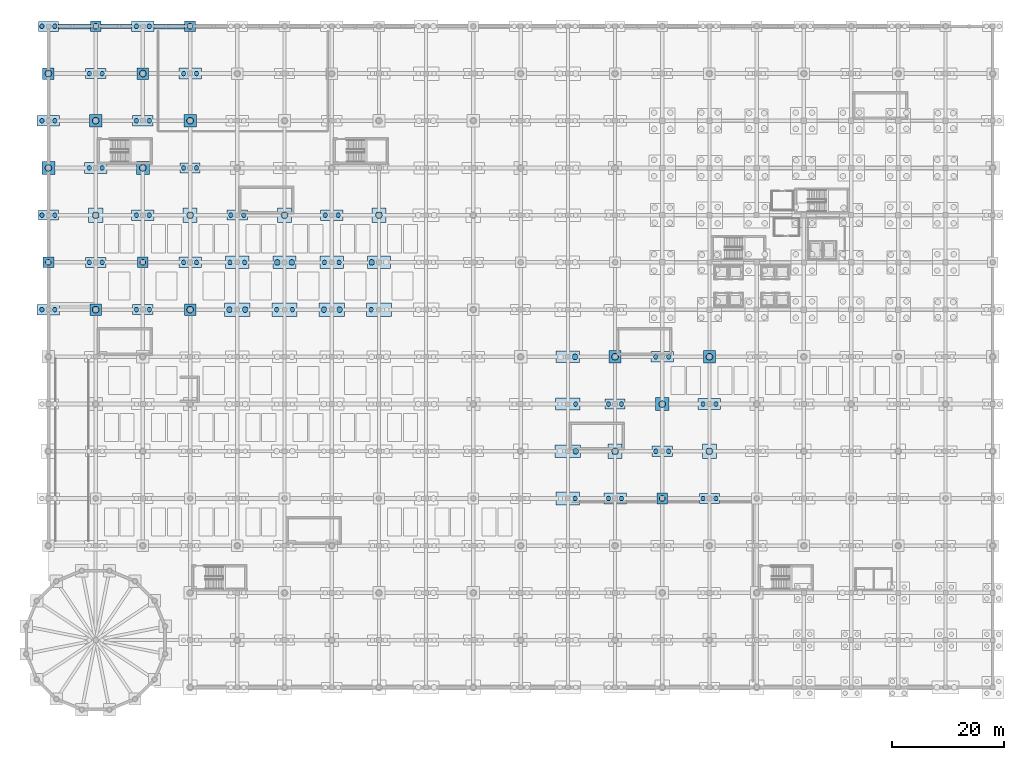
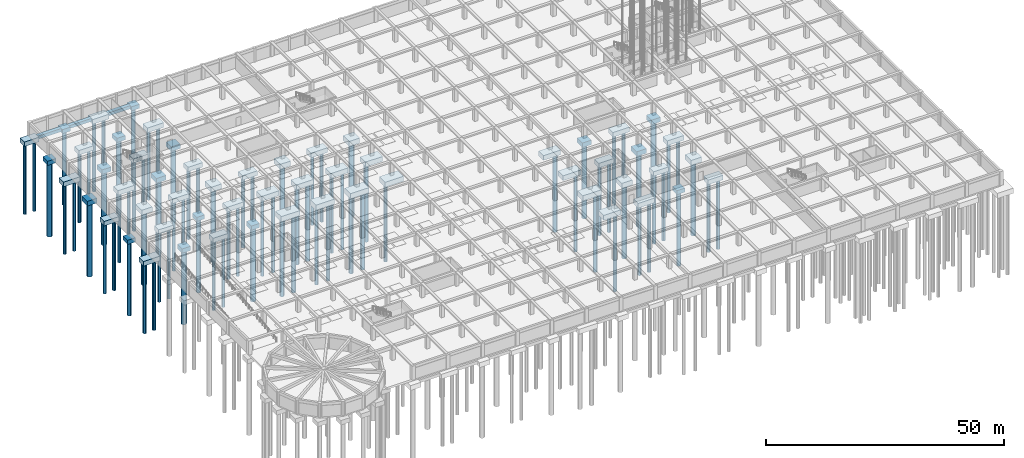
# One storey, part 3 of 47: 84 piles, 59 footings.
"""IFC4 building model written with IfcOpenShell, lengths in metres."""

from ifc_helpers import new_model, si_unit, direction, frame, origin, origin_2d, place, context, subcontext, project, spatial, rectangle, circle, extrude, material, layer, layer_set, material_profile, profile_set, type_object, element, save


model = new_model("IFC4")

# Units and contexts
model_context = context("Model", 3, precision=1e-05, world=origin(), true_north=direction((0.0, 1.0)))
body_context = subcontext(model_context, "Body", "Model", "MODEL_VIEW")
ifc_project = project(units=[si_unit("LENGTHUNIT", "METRE"), si_unit("AREAUNIT", "SQUARE_METRE"), si_unit("VOLUMEUNIT", "CUBIC_METRE"), si_unit("PLANEANGLEUNIT", "RADIAN"), si_unit("MASSUNIT", "GRAM", prefix="KILO")], contexts=[model_context])

# Site, building, storey
site_placement = place(None, origin())
site = spatial("IfcSite", under=ifc_project, at=site_placement, CompositionType="ELEMENT")
building_placement = place(site_placement, origin())
building = spatial("IfcBuilding", under=site, at=building_placement, Name="Almacenes y Pasaje Nevantli", CompositionType="ELEMENT")
storey_placement = place(building_placement, frame((0.0, 0.0, -8.10009765625)))
storey = spatial("IfcBuildingStorey", under=building, at=storey_placement, Name="B02", CompositionType="ELEMENT", Elevation=-8.10009765625)

# Footings
ifc_material_1 = material(Name="Concrete C45/55", Category="concrete")
ifc_layer_1 = layer(ifc_material_1, 1.300048828125)
ifc_layer_set_1 = layer_set([ifc_layer_1], Name="Concrete C45/55")
footing_type_1 = type_object("IfcFootingType", Name="FT-PC-06", PredefinedType="PILE_CAP", material=ifc_layer_set_1)
footing_1_placement = place(storey_placement, frame((92.39990234375, 42.0, -1.7998046875), z_axis=(0.0, 0.0, 1.0), x_axis=(1.0, 0.0, 0.0)))
element("IfcFooting", 1, at=footing_1_placement, inside=storey, type_object=footing_type_1, Name="Reinforced Concrete Pile Cap PC-06 #163", PredefinedType="PILE_CAP", context=body_context, shape_type="SweptSolid", body=[
    extrude(rectangle(XDim=4.60009765625, YDim=2.199951171875, at=origin_2d()), origin(), (0.0, 0.0, 1.0), 1.300048828125),
])
ifc_material_2 = material(Name="Concrete C45/55", Category="concrete")
ifc_layer_2 = layer(ifc_material_2, 1.25)
ifc_layer_set_2 = layer_set([ifc_layer_2], Name="Concrete C45/55")
footing_type_2 = type_object("IfcFootingType", Name="FT-PC-07", PredefinedType="PILE_CAP", material=ifc_layer_set_2)
footing_2_placement = place(storey_placement, frame((92.39990234375, 50.39990234375, -1.75), z_axis=(0.0, 0.0, 1.0), x_axis=(1.0, 0.0, 0.0)))
element("IfcFooting", 2, at=footing_2_placement, inside=storey, type_object=footing_type_2, Name="Reinforced Concrete Pile Cap PC-07 #164", PredefinedType="PILE_CAP", context=body_context, shape_type="SweptSolid", body=[
    extrude(rectangle(XDim=4.39990234375, YDim=2.10009765625, at=origin_2d()), origin(), (0.0, 0.0, 1.0), 1.25),
])
ifc_material_3 = material(Name="Concrete C45/55", Category="concrete")
ifc_layer_3 = layer(ifc_material_3, 1.199951171875)
ifc_layer_set_3 = layer_set([ifc_layer_3], Name="Concrete C45/55")
footing_type_3 = type_object("IfcFootingType", Name="FT-PC-08", PredefinedType="PILE_CAP", material=ifc_layer_set_3)
footing_3_placement = place(storey_placement, frame((92.39990234375, 58.800048828125, -1.69970703125), z_axis=(0.0, 0.0, 1.0), x_axis=(1.0, 0.0, 0.0)))
element("IfcFooting", 3, at=footing_3_placement, inside=storey, type_object=footing_type_3, Name="Reinforced Concrete Pile Cap PC-08 #165", PredefinedType="PILE_CAP", context=body_context, shape_type="SweptSolid", body=[
    extrude(rectangle(XDim=4.199951171875, YDim=2.0, at=origin_2d()), origin(), (0.0, 0.0, 1.0), 1.199951171875),
])
ifc_material_4 = material(Name="Concrete C45/55", Category="concrete")
ifc_layer_4 = layer(ifc_material_4, 1.199951171875)
ifc_layer_set_4 = layer_set([ifc_layer_4], Name="Concrete C45/55")
footing_type_4 = type_object("IfcFootingType", Name="FT-PC-09", PredefinedType="PILE_CAP", material=ifc_layer_set_4)
for number, where, z_axis, x_axis, name in (
    (4, (0.0, 67.199951171875, -1.69970703125), (0.0, 0.0, 1.0), (1.0, 0.0, 0.0), "Reinforced Concrete Pile Cap PC-09 #6"),
    (5, (0.0, 100.800048828125, -1.69970703125), (0.0, 0.0, 1.0), (1.0, 0.0, 0.0), "Reinforced Concrete Pile Cap PC-09 #10"),
    (6, (8.39990234375, 92.39990234375, -1.69970703125), (0.0, 0.0, 1.0), (1.0, 0.0, 0.0), "Reinforced Concrete Pile Cap PC-09 #22"),
    (7, (16.800048828125, 84.0, -1.69970703125), (0.0, 0.0, 1.0), (1.0, 0.0, 0.0), "Reinforced Concrete Pile Cap PC-09 #33"),
    (8, (16.800048828125, 117.60009765625, -1.69970703125), (0.0, 0.0, 1.0), (1.0, 0.0, 0.0), "Reinforced Concrete Pile Cap PC-09 #37"),
    (9, (25.199951171875, 75.60009765625, -1.69970703125), (0.0, 0.0, 1.0), (1.0, 0.0, 0.0), "Reinforced Concrete Pile Cap PC-09 #47"),
    (10, (25.199951171875, 109.199951171875, -1.69970703125), (0.0, 0.0, 1.0), (1.0, 0.0, 0.0), "Reinforced Concrete Pile Cap PC-09 #51"),
    (11, (50.39990234375, 84.0, -1.69970703125), (0.0, 0.0, 1.0), (1.0, 0.0, 0.0), "Reinforced Concrete Pile Cap PC-09 #93"),
    (12, (100.800048828125, 33.60009765625, -1.69970703125), (0.0, 0.0, 1.0), (1.0, 0.0, 0.0), "Reinforced Concrete Pile Cap PC-09 #177"),
    (13, (109.199951171875, 58.800048828125, -1.69970703125), (0.0, 0.0, 1.0), (1.0, 0.0, 0.0), "Reinforced Concrete Pile Cap PC-09 #195"),
    (14, (117.60009765625, 50.39990234375, -1.69970703125), (0.0, 0.0, 1.0), (1.0, 0.0, 0.0), "Reinforced Concrete Pile Cap PC-09 #209"),
):
    element("IfcFooting", number, at=place(storey_placement, frame(where, z_axis=z_axis, x_axis=x_axis)), inside=storey, type_object=footing_type_4, Name=name, PredefinedType="PILE_CAP", context=body_context, shape_type="SweptSolid", body=[
        extrude(rectangle(XDim=4.0, YDim=1.89990234375, at=origin_2d()), origin(), (0.0, 0.0, 1.0), 1.199951171875),
    ])
ifc_material_5 = material(Name="Concrete C45/55", Category="concrete")
ifc_layer_5 = layer(ifc_material_5, 1.14990234375)
ifc_layer_set_5 = layer_set([ifc_layer_5], Name="Concrete C45/55")
footing_type_5 = type_object("IfcFootingType", Name="FT-PC-11", PredefinedType="PILE_CAP", material=ifc_layer_set_5)
for number, where, z_axis, x_axis, name in (
    (15, (0.0, 84.0, -1.64990234375), (0.0, 0.0, 1.0), (1.0, 0.0, 0.0), "Reinforced Concrete Pile Cap PC-11 #8"),
    (16, (0.0, 117.60009765625, -1.64990234375), (0.0, 0.0, 1.0), (1.0, 0.0, 0.0), "Reinforced Concrete Pile Cap PC-11 #12"),
    (17, (8.39990234375, 75.60009765625, -1.64990234375), (0.0, 0.0, 1.0), (1.0, 0.0, 0.0), "Reinforced Concrete Pile Cap PC-11 #20"),
    (18, (8.39990234375, 109.199951171875, -1.64990234375), (0.0, 0.0, 1.0), (1.0, 0.0, 0.0), "Reinforced Concrete Pile Cap PC-11 #24"),
    (19, (16.800048828125, 67.199951171875, -1.64990234375), (0.0, 0.0, 1.0), (1.0, 0.0, 0.0), "Reinforced Concrete Pile Cap PC-11 #31"),
    (20, (16.800048828125, 100.800048828125, -1.64990234375), (0.0, 0.0, 1.0), (1.0, 0.0, 0.0), "Reinforced Concrete Pile Cap PC-11 #35"),
    (21, (25.199951171875, 92.39990234375, -1.64990234375), (0.0, 0.0, 1.0), (1.0, 0.0, 0.0), "Reinforced Concrete Pile Cap PC-11 #49"),
    (22, (33.60009765625, 84.0, -1.64990234375), (0.0, 0.0, 1.0), (1.0, 0.0, 0.0), "Reinforced Concrete Pile Cap PC-11 #63"),
    (23, (100.800048828125, 50.39990234375, -1.64990234375), (0.0, 0.0, 1.0), (1.0, 0.0, 0.0), "Reinforced Concrete Pile Cap PC-11 #179"),
    (24, (109.199951171875, 42.0, -1.64990234375), (0.0, 0.0, 1.0), (1.0, 0.0, 0.0), "Reinforced Concrete Pile Cap PC-11 #193"),
    (25, (117.60009765625, 33.60009765625, -1.64990234375), (0.0, 0.0, 1.0), (1.0, 0.0, 0.0), "Reinforced Concrete Pile Cap PC-11 #207"),
):
    element("IfcFooting", number, at=place(storey_placement, frame(where, z_axis=z_axis, x_axis=x_axis)), inside=storey, type_object=footing_type_5, Name=name, PredefinedType="PILE_CAP", context=body_context, shape_type="SweptSolid", body=[
        extrude(rectangle(XDim=3.60009765625, YDim=1.800048828125, at=origin_2d()), origin(), (0.0, 0.0, 1.0), 1.14990234375),
    ])
ifc_material_6 = material(Name="Concrete C45/55", Category="concrete")
ifc_layer_6 = layer(ifc_material_6, 1.25)
ifc_layer_set_6 = layer_set([ifc_layer_6], Name="Concrete C45/55")
footing_type_6 = type_object("IfcFootingType", Name="FT-PC-15", PredefinedType="PILE_CAP", material=ifc_layer_set_6)
for number, where, z_axis, x_axis, name in (
    (26, (8.39990234375, 84.0, -1.75), (0.0, 0.0, 1.0), (1.0, 0.0, 0.0), "Reinforced Concrete Pile Cap PC-15 #21"),
    (27, (25.199951171875, 84.0, -1.75), (0.0, 0.0, 1.0), (1.0, 0.0, 0.0), "Reinforced Concrete Pile Cap PC-15 #48"),
    (28, (42.0, 84.0, -1.75), (0.0, 0.0, 1.0), (1.0, 0.0, 0.0), "Reinforced Concrete Pile Cap PC-15 #78"),
    (29, (58.800048828125, 84.0, -1.75), (0.0, 0.0, 1.0), (1.0, 0.0, 0.0), "Reinforced Concrete Pile Cap PC-15 #108"),
    (30, (100.800048828125, 42.0, -1.75), (0.0, 0.0, 1.0), (1.0, 0.0, 0.0), "Reinforced Concrete Pile Cap PC-15 #178"),
    (31, (117.60009765625, 42.0, -1.75), (0.0, 0.0, 1.0), (1.0, 0.0, 0.0), "Reinforced Concrete Pile Cap PC-15 #208"),
):
    element("IfcFooting", number, at=place(storey_placement, frame(where, z_axis=z_axis, x_axis=x_axis)), inside=storey, type_object=footing_type_6, Name=name, PredefinedType="PILE_CAP", context=body_context, shape_type="SweptSolid", body=[
        extrude(rectangle(XDim=2.550048828125, YDim=2.550048828125, at=origin_2d()), origin(), (0.0, 0.0, 1.0), 1.25),
    ])
ifc_material_7 = material(Name="Concrete C45/55", Category="concrete")
ifc_layer_7 = layer(ifc_material_7, 1.199951171875)
ifc_layer_set_7 = layer_set([ifc_layer_7], Name="Concrete C45/55")
footing_type_7 = type_object("IfcFootingType", Name="FT-PC-16", PredefinedType="PILE_CAP", material=ifc_layer_set_7)
for number, where, z_axis, x_axis, name in (
    (32, (0.0, 92.39990234375, -1.69970703125), (0.0, 0.0, 1.0), (1.0, 0.0, 0.0), "Reinforced Concrete Pile Cap PC-16 #9"),
    (33, (16.800048828125, 92.39990234375, -1.69970703125), (0.0, 0.0, 1.0), (1.0, 0.0, 0.0), "Reinforced Concrete Pile Cap PC-16 #34"),
    (34, (109.199951171875, 50.39990234375, -1.69970703125), (0.0, 0.0, 1.0), (1.0, 0.0, 0.0), "Reinforced Concrete Pile Cap PC-16 #194"),
):
    element("IfcFooting", number, at=place(storey_placement, frame(where, z_axis=z_axis, x_axis=x_axis)), inside=storey, type_object=footing_type_7, Name=name, PredefinedType="PILE_CAP", context=body_context, shape_type="SweptSolid", body=[
        extrude(rectangle(XDim=2.35009765625, YDim=2.35009765625, at=origin_2d()), origin(), (0.0, 0.0, 1.0), 1.199951171875),
    ])
ifc_material_8 = material(Name="Concrete C45/55", Category="concrete")
ifc_layer_8 = layer(ifc_material_8, 1.14990234375)
ifc_layer_set_8 = layer_set([ifc_layer_8], Name="Concrete C45/55")
footing_type_8 = type_object("IfcFootingType", Name="FT-PC-17", PredefinedType="PILE_CAP", material=ifc_layer_set_8)
for number, where, z_axis, x_axis, name in (
    (35, (8.39990234375, 100.800048828125, -1.64990234375), (0.0, 0.0, 1.0), (1.0, 0.0, 0.0), "Reinforced Concrete Pile Cap PC-17 #23"),
    (36, (25.199951171875, 100.800048828125, -1.64990234375), (0.0, 0.0, 1.0), (1.0, 0.0, 0.0), "Reinforced Concrete Pile Cap PC-17 #50"),
    (37, (100.800048828125, 58.800048828125, -1.64990234375), (0.0, 0.0, 1.0), (1.0, 0.0, 0.0), "Reinforced Concrete Pile Cap PC-17 #180"),
    (38, (117.60009765625, 58.800048828125, -1.64990234375), (0.0, 0.0, 1.0), (1.0, 0.0, 0.0), "Reinforced Concrete Pile Cap PC-17 #210"),
):
    element("IfcFooting", number, at=place(storey_placement, frame(where, z_axis=z_axis, x_axis=x_axis)), inside=storey, type_object=footing_type_8, Name=name, PredefinedType="PILE_CAP", context=body_context, shape_type="SweptSolid", body=[
        extrude(rectangle(XDim=2.199951171875, YDim=2.199951171875, at=origin_2d()), origin(), (0.0, 0.0, 1.0), 1.14990234375),
    ])
ifc_material_9 = material(Name="Concrete C45/55", Category="concrete")
ifc_layer_9 = layer(ifc_material_9, 1.10009765625)
ifc_layer_set_9 = layer_set([ifc_layer_9], Name="Concrete C45/55")
footing_type_9 = type_object("IfcFootingType", Name="FT-PC-18", PredefinedType="PILE_CAP", material=ifc_layer_set_9)
for number, where, z_axis, x_axis, name in (
    (39, (0.0, 109.199951171875, -1.599853515625), (0.0, 0.0, 1.0), (1.0, 0.0, 0.0), "Reinforced Concrete Pile Cap PC-18 #11"),
    (40, (8.39990234375, 67.199951171875, -1.599853515625), (0.0, 0.0, 1.0), (1.0, 0.0, 0.0), "Reinforced Concrete Pile Cap PC-18 #19"),
    (41, (16.800048828125, 109.199951171875, -1.599853515625), (0.0, 0.0, 1.0), (1.0, 0.0, 0.0), "Reinforced Concrete Pile Cap PC-18 #36"),
    (42, (25.199951171875, 67.199951171875, -1.599853515625), (0.0, 0.0, 1.0), (1.0, 0.0, 0.0), "Reinforced Concrete Pile Cap PC-18 #46"),
):
    element("IfcFooting", number, at=place(storey_placement, frame(where, z_axis=z_axis, x_axis=x_axis)), inside=storey, type_object=footing_type_9, Name=name, PredefinedType="PILE_CAP", context=body_context, shape_type="SweptSolid", body=[
        extrude(rectangle(XDim=2.050048828125, YDim=2.050048828125, at=origin_2d()), origin(), (0.0, 0.0, 1.0), 1.10009765625),
    ])
ifc_material_10 = material(Name="Concrete C45/55", Category="concrete")
ifc_layer_10 = layer(ifc_material_10, 1.050048828125)
ifc_layer_set_10 = layer_set([ifc_layer_10], Name="Concrete C45/55")
footing_type_10 = type_object("IfcFootingType", Name="FT-PC-19", PredefinedType="PILE_CAP", material=ifc_layer_set_10)
for number, where, z_axis, x_axis, name in (
    (43, (0.0, 75.60009765625, -1.5498046875), (0.0, 0.0, 1.0), (1.0, 0.0, 0.0), "Reinforced Concrete Pile Cap PC-19 #7"),
    (44, (8.39990234375, 117.60009765625, -1.5498046875), (0.0, 0.0, 1.0), (1.0, 0.0, 0.0), "Reinforced Concrete Pile Cap PC-19 #25"),
    (45, (16.800048828125, 75.60009765625, -1.5498046875), (0.0, 0.0, 1.0), (1.0, 0.0, 0.0), "Reinforced Concrete Pile Cap PC-19 #32"),
    (46, (25.199951171875, 117.60009765625, -1.5498046875), (0.0, 0.0, 1.0), (1.0, 0.0, 0.0), "Reinforced Concrete Pile Cap PC-19 #52"),
    (47, (109.199951171875, 33.60009765625, -1.5498046875), (0.0, 0.0, 1.0), (1.0, 0.0, 0.0), "Reinforced Concrete Pile Cap PC-19 #192"),
):
    element("IfcFooting", number, at=place(storey_placement, frame(where, z_axis=z_axis, x_axis=x_axis)), inside=storey, type_object=footing_type_10, Name=name, PredefinedType="PILE_CAP", context=body_context, shape_type="SweptSolid", body=[
        extrude(rectangle(XDim=1.89990234375, YDim=1.89990234375, at=origin_2d()), origin(), (0.0, 0.0, 1.0), 1.050048828125),
    ])
ifc_material_11 = material(Name="Concrete C45/55", Category="concrete")
ifc_layer_11 = layer(ifc_material_11, 1.300048828125)
ifc_layer_set_11 = layer_set([ifc_layer_11], Name="Concrete C45/55")
footing_type_11 = type_object("IfcFootingType", Name="FT-PC-20", PredefinedType="PILE_CAP", material=ifc_layer_set_11)
for number, where, z_axis, x_axis, name in (
    (48, (33.60009765625, 67.199951171875, -1.7998046875), (0.0, 0.0, 1.0), (1.0, 0.0, 0.0), "Reinforced Concrete Pile Cap PC-20 #61"),
    (49, (42.0, 67.199951171875, -1.7998046875), (0.0, 0.0, 1.0), (1.0, 0.0, 0.0), "Reinforced Concrete Pile Cap PC-20 #76"),
    (50, (50.39990234375, 67.199951171875, -1.7998046875), (0.0, 0.0, 1.0), (1.0, 0.0, 0.0), "Reinforced Concrete Pile Cap PC-20 #91"),
    (51, (58.800048828125, 67.199951171875, -1.7998046875), (0.0, 0.0, 1.0), (1.0, 0.0, 0.0), "Reinforced Concrete Pile Cap PC-20 #106"),
):
    element("IfcFooting", number, at=place(storey_placement, frame(where, z_axis=z_axis, x_axis=x_axis)), inside=storey, type_object=footing_type_11, Name=name, PredefinedType="PILE_CAP", context=body_context, shape_type="SweptSolid", body=[
        extrude(rectangle(XDim=4.5, YDim=2.39990234375, at=origin_2d()), origin(), (0.0, 0.0, 1.0), 1.300048828125),
    ])
ifc_material_12 = material(Name="Concrete C45/55", Category="concrete")
ifc_layer_12 = layer(ifc_material_12, 1.25)
ifc_layer_set_12 = layer_set([ifc_layer_12], Name="Concrete C45/55")
footing_type_12 = type_object("IfcFootingType", Name="FT-PC-21", PredefinedType="PILE_CAP", material=ifc_layer_set_12)
for number, where, z_axis, x_axis, name in (
    (52, (33.60009765625, 75.60009765625, -1.75), (0.0, 0.0, 1.0), (1.0, 0.0, 0.0), "Reinforced Concrete Pile Cap PC-21 #62"),
    (53, (42.0, 75.60009765625, -1.75), (0.0, 0.0, 1.0), (1.0, 0.0, 0.0), "Reinforced Concrete Pile Cap PC-21 #77"),
    (54, (50.39990234375, 75.60009765625, -1.75), (0.0, 0.0, 1.0), (1.0, 0.0, 0.0), "Reinforced Concrete Pile Cap PC-21 #92"),
    (55, (58.800048828125, 75.60009765625, -1.75), (0.0, 0.0, 1.0), (1.0, 0.0, 0.0), "Reinforced Concrete Pile Cap PC-21 #107"),
    (56, (92.39990234375, 33.60009765625, -1.75), (0.0, 0.0, 1.0), (1.0, 0.0, 0.0), "Reinforced Concrete Pile Cap PC-21 #162"),
):
    element("IfcFooting", number, at=place(storey_placement, frame(where, z_axis=z_axis, x_axis=x_axis)), inside=storey, type_object=footing_type_12, Name=name, PredefinedType="PILE_CAP", context=body_context, shape_type="SweptSolid", body=[
        extrude(rectangle(XDim=4.14990234375, YDim=2.25, at=origin_2d()), origin(), (0.0, 0.0, 1.0), 1.25),
    ])
ifc_material_13 = material(Name="Concrete C45/55", Category="concrete")
ifc_layer_13 = layer(ifc_material_13, 0.800048828125)
ifc_layer_set_13 = layer_set([ifc_layer_13], Name="Concrete C45/55")
footing_type_13 = type_object("IfcFootingType", Name="FT-SF-01", PredefinedType="STRIP_FOOTING", material=ifc_layer_set_13)
footing_4_placement = place(storey_placement, frame((4.625, 117.60009765625, -1.2998046875), z_axis=(0.0, 0.0, 1.0), x_axis=(1.0, 0.0, 0.0)))
element("IfcFooting", 57, at=footing_4_placement, inside=storey, type_object=footing_type_13, Name="Continuous Perimeter Strip Footing #1", PredefinedType="STRIP_FOOTING", context=body_context, shape_type="SweptSolid", body=[
    extrude(rectangle(XDim=5.64990234375, YDim=0.89990234375, at=origin_2d()), origin(), (0.0, 0.0, 1.0), 0.800048828125),
])
footing_5_placement = place(storey_placement, frame((21.52490234375, 117.60009765625, -1.2998046875), z_axis=(0.0, 0.0, 1.0), x_axis=(1.0, 0.0, 0.0)))
element("IfcFooting", 58, at=footing_5_placement, inside=storey, type_object=footing_type_13, Name="Continuous Perimeter Strip Footing #3", PredefinedType="STRIP_FOOTING", context=body_context, shape_type="SweptSolid", body=[
    extrude(rectangle(XDim=5.449951171875, YDim=0.89990234375, at=origin_2d()), origin(), (0.0, 0.0, 1.0), 0.800048828125),
])
ifc_material_14 = material(Name="Concrete C45/55", Category="concrete")
ifc_layer_14 = layer(ifc_material_14, 0.75)
ifc_layer_set_14 = layer_set([ifc_layer_14], Name="Concrete C45/55")
footing_type_14 = type_object("IfcFootingType", Name="FT-SF-02", PredefinedType="STRIP_FOOTING", material=ifc_layer_set_14)
footing_6_placement = place(storey_placement, frame((12.074951171875, 117.60009765625, -1.25), z_axis=(0.0, 0.0, 1.0), x_axis=(1.0, 0.0, 0.0)))
element("IfcFooting", 59, at=footing_6_placement, inside=storey, type_object=footing_type_14, Name="Continuous Perimeter Strip Footing #2", PredefinedType="STRIP_FOOTING", context=body_context, shape_type="SweptSolid", body=[
    extrude(rectangle(XDim=5.449951171875, YDim=0.85009765625, at=origin_2d()), origin(), (0.0, 0.0, 1.0), 0.75),
])

# Piles
ifc_material_15 = material(Name="Concrete C45/55", Category="concrete")
ifc_material_profile_1 = material_profile(ifc_material_15, circle(Radius=0.5, at=origin_2d()), Name="RC-PILE-D1000")
ifc_profile_set_1 = profile_set([ifc_material_profile_1], Name="Concrete C45/55")
pile_type_1 = type_object("IfcPileType", Name="PL-BORED-1000", PredefinedType="BORED", material=ifc_profile_set_1)
for number, where, z_axis, x_axis, name in (
    (60, (0.0, 75.60009765625, -1.5), (0.0, 0.0, -1.0), (1.0, 0.0, 0.0), "Bored Pile PL-1000 #10"),
    (61, (8.39990234375, 117.60009765625, -1.5), (0.0, 0.0, -1.0), (1.0, 0.0, 0.0), "Bored Pile PL-1000 #38"),
    (62, (16.800048828125, 75.60009765625, -1.5), (0.0, 0.0, -1.0), (1.0, 0.0, 0.0), "Bored Pile PL-1000 #48"),
    (63, (25.199951171875, 117.60009765625, -1.5), (0.0, 0.0, -1.0), (1.0, 0.0, 0.0), "Bored Pile PL-1000 #78"),
):
    element("IfcPile", number, at=place(storey_placement, frame(where, z_axis=z_axis, x_axis=x_axis)), inside=storey, type_object=pile_type_1, Name=name, PredefinedType="BORED", context=body_context, shape_type="SweptSolid", body=[
        extrude(circle(Radius=0.5, at=origin_2d()), origin(), (0.0, 0.0, 1.0), 19.0),
    ])
for number, where, z_axis, x_axis, name in (
    (64, (32.199951171875, 67.199951171875, -1.75), (0.0, 0.0, -1.0), (1.0, 0.0, 0.0), "Bored Pile PL-1000 #93"),
    (65, (35.0, 67.199951171875, -1.75), (0.0, 0.0, -1.0), (1.0, 0.0, 0.0), "Bored Pile PL-1000 #94"),
    (66, (40.699951171875, 75.60009765625, -1.699951171875), (0.0, 0.0, -1.0), (1.0, 0.0, 0.0), "Bored Pile PL-1000 #120"),
    (67, (43.300048828125, 75.60009765625, -1.699951171875), (0.0, 0.0, -1.0), (1.0, 0.0, 0.0), "Bored Pile PL-1000 #121"),
    (68, (49.0, 67.199951171875, -1.75), (0.0, 0.0, -1.0), (1.0, 0.0, 0.0), "Bored Pile PL-1000 #143"),
    (69, (51.800048828125, 67.199951171875, -1.75), (0.0, 0.0, -1.0), (1.0, 0.0, 0.0), "Bored Pile PL-1000 #144"),
    (70, (57.5, 75.60009765625, -1.699951171875), (0.0, 0.0, -1.0), (1.0, 0.0, 0.0), "Bored Pile PL-1000 #170"),
    (71, (93.800048828125, 42.0, -1.75), (0.0, 0.0, -1.0), (1.0, 0.0, 0.0), "Bored Pile PL-1000 #265"),
    (72, (93.699951171875, 58.800048828125, -1.64990234375), (0.0, 0.0, -1.0), (1.0, 0.0, 0.0), "Bored Pile PL-1000 #269"),
):
    element("IfcPile", number, at=place(storey_placement, frame(where, z_axis=z_axis, x_axis=x_axis)), inside=storey, type_object=pile_type_1, Name=name, PredefinedType="BORED", context=body_context, shape_type="SweptSolid", body=[
        extrude(circle(Radius=0.5, at=origin_2d()), origin(), (0.0, 0.0, 1.0), 20.0),
    ])
pile_placement = place(storey_placement, frame((109.199951171875, 33.60009765625, -1.5), z_axis=(0.0, 0.0, -1.0), x_axis=(1.0, 0.0, 0.0)))
element("IfcPile", 73, at=pile_placement, inside=storey, type_object=pile_type_1, Name="Bored Pile PL-1000 #313", PredefinedType="BORED", context=body_context, shape_type="SweptSolid", body=[
    extrude(circle(Radius=0.5, at=origin_2d()), origin(), (0.0, 0.0, 1.0), 19.0),
])
ifc_material_16 = material(Name="Concrete C45/55", Category="concrete")
ifc_material_profile_2 = material_profile(ifc_material_16, circle(Radius=0.60009765625, at=origin_2d()), Name="RC-PILE-D1200")
ifc_profile_set_2 = profile_set([ifc_material_profile_2], Name="Concrete C45/55")
pile_type_2 = type_object("IfcPileType", Name="PL-BORED-1200", PredefinedType="BORED", material=ifc_profile_set_2)
for number, where, z_axis, x_axis, name in (
    (74, (0.0, 92.39990234375, -1.64990234375), (0.0, 0.0, -1.0), (1.0, 0.0, 0.0), "Bored Pile PL-1200 #13"),
    (75, (0.0, 109.199951171875, -1.5498046875), (0.0, 0.0, -1.0), (1.0, 0.0, 0.0), "Bored Pile PL-1200 #16"),
    (76, (8.39990234375, 67.199951171875, -1.5498046875), (0.0, 0.0, -1.0), (1.0, 0.0, 0.0), "Bored Pile PL-1200 #29"),
    (77, (8.39990234375, 84.0, -1.699951171875), (0.0, 0.0, -1.0), (1.0, 0.0, 0.0), "Bored Pile PL-1200 #32"),
    (78, (8.39990234375, 100.800048828125, -1.599853515625), (0.0, 0.0, -1.0), (1.0, 0.0, 0.0), "Bored Pile PL-1200 #35"),
    (79, (16.800048828125, 92.39990234375, -1.64990234375), (0.0, 0.0, -1.0), (1.0, 0.0, 0.0), "Bored Pile PL-1200 #51"),
    (80, (16.800048828125, 109.199951171875, -1.5498046875), (0.0, 0.0, -1.0), (1.0, 0.0, 0.0), "Bored Pile PL-1200 #54"),
    (81, (25.199951171875, 67.199951171875, -1.5498046875), (0.0, 0.0, -1.0), (1.0, 0.0, 0.0), "Bored Pile PL-1200 #69"),
    (82, (25.199951171875, 84.0, -1.699951171875), (0.0, 0.0, -1.0), (1.0, 0.0, 0.0), "Bored Pile PL-1200 #72"),
    (83, (25.199951171875, 100.800048828125, -1.599853515625), (0.0, 0.0, -1.0), (1.0, 0.0, 0.0), "Bored Pile PL-1200 #75"),
    (84, (42.0, 84.0, -1.699951171875), (0.0, 0.0, -1.0), (1.0, 0.0, 0.0), "Bored Pile PL-1200 #122"),
    (85, (58.800048828125, 84.0, -1.699951171875), (0.0, 0.0, -1.0), (1.0, 0.0, 0.0), "Bored Pile PL-1200 #172"),
    (86, (100.800048828125, 42.0, -1.699951171875), (0.0, 0.0, -1.0), (1.0, 0.0, 0.0), "Bored Pile PL-1200 #292"),
    (87, (100.800048828125, 58.800048828125, -1.599853515625), (0.0, 0.0, -1.0), (1.0, 0.0, 0.0), "Bored Pile PL-1200 #295"),
    (88, (109.199951171875, 50.39990234375, -1.64990234375), (0.0, 0.0, -1.0), (1.0, 0.0, 0.0), "Bored Pile PL-1200 #316"),
    (89, (117.60009765625, 42.0, -1.699951171875), (0.0, 0.0, -1.0), (1.0, 0.0, 0.0), "Bored Pile PL-1200 #350"),
    (90, (117.60009765625, 58.800048828125, -1.599853515625), (0.0, 0.0, -1.0), (1.0, 0.0, 0.0), "Bored Pile PL-1200 #353"),
):
    element("IfcPile", number, at=place(storey_placement, frame(where, z_axis=z_axis, x_axis=x_axis)), inside=storey, type_object=pile_type_2, Name=name, PredefinedType="BORED", context=body_context, shape_type="SweptSolid", body=[
        extrude(circle(Radius=0.60009765625, at=origin_2d()), origin(), (0.0, 0.0, 1.0), 19.0),
    ])
ifc_material_17 = material(Name="Concrete C45/55", Category="concrete")
ifc_material_profile_3 = material_profile(ifc_material_17, circle(Radius=0.39990234375, at=origin_2d()), Name="RC-PILE-D800")
ifc_profile_set_3 = profile_set([ifc_material_profile_3], Name="Concrete C45/55")
pile_type_3 = type_object("IfcPileType", Name="PL-BORED-800", PredefinedType="BORED", material=ifc_profile_set_3)
for number, where, z_axis, x_axis, name in (
    (91, (-1.14990234375, 67.199951171875, -1.64990234375), (0.0, 0.0, -1.0), (1.0, 0.0, 0.0), "Bored Pile PL-800 #8"),
    (92, (1.14990234375, 67.199951171875, -1.64990234375), (0.0, 0.0, -1.0), (1.0, 0.0, 0.0), "Bored Pile PL-800 #9"),
    (93, (-1.14990234375, 84.0, -1.599853515625), (0.0, 0.0, -1.0), (1.0, 0.0, 0.0), "Bored Pile PL-800 #11"),
    (94, (1.14990234375, 84.0, -1.599853515625), (0.0, 0.0, -1.0), (1.0, 0.0, 0.0), "Bored Pile PL-800 #12"),
    (95, (-1.14990234375, 100.800048828125, -1.64990234375), (0.0, 0.0, -1.0), (1.0, 0.0, 0.0), "Bored Pile PL-800 #14"),
    (96, (1.14990234375, 100.800048828125, -1.64990234375), (0.0, 0.0, -1.0), (1.0, 0.0, 0.0), "Bored Pile PL-800 #15"),
    (97, (-1.14990234375, 117.60009765625, -1.599853515625), (0.0, 0.0, -1.0), (1.0, 0.0, 0.0), "Bored Pile PL-800 #17"),
    (98, (1.14990234375, 117.60009765625, -1.599853515625), (0.0, 0.0, -1.0), (1.0, 0.0, 0.0), "Bored Pile PL-800 #18"),
    (99, (7.25, 75.60009765625, -1.599853515625), (0.0, 0.0, -1.0), (1.0, 0.0, 0.0), "Bored Pile PL-800 #30"),
    (100, (9.550048828125, 75.60009765625, -1.599853515625), (0.0, 0.0, -1.0), (1.0, 0.0, 0.0), "Bored Pile PL-800 #31"),
    (101, (7.25, 92.39990234375, -1.64990234375), (0.0, 0.0, -1.0), (1.0, 0.0, 0.0), "Bored Pile PL-800 #33"),
    (102, (9.550048828125, 92.39990234375, -1.64990234375), (0.0, 0.0, -1.0), (1.0, 0.0, 0.0), "Bored Pile PL-800 #34"),
    (103, (7.25, 109.199951171875, -1.599853515625), (0.0, 0.0, -1.0), (1.0, 0.0, 0.0), "Bored Pile PL-800 #36"),
    (104, (9.550048828125, 109.199951171875, -1.599853515625), (0.0, 0.0, -1.0), (1.0, 0.0, 0.0), "Bored Pile PL-800 #37"),
    (105, (15.64990234375, 67.199951171875, -1.599853515625), (0.0, 0.0, -1.0), (1.0, 0.0, 0.0), "Bored Pile PL-800 #46"),
    (106, (17.949951171875, 67.199951171875, -1.599853515625), (0.0, 0.0, -1.0), (1.0, 0.0, 0.0), "Bored Pile PL-800 #47"),
    (107, (15.64990234375, 84.0, -1.64990234375), (0.0, 0.0, -1.0), (1.0, 0.0, 0.0), "Bored Pile PL-800 #49"),
    (108, (17.949951171875, 84.0, -1.64990234375), (0.0, 0.0, -1.0), (1.0, 0.0, 0.0), "Bored Pile PL-800 #50"),
    (109, (15.64990234375, 100.800048828125, -1.599853515625), (0.0, 0.0, -1.0), (1.0, 0.0, 0.0), "Bored Pile PL-800 #52"),
    (110, (17.949951171875, 100.800048828125, -1.599853515625), (0.0, 0.0, -1.0), (1.0, 0.0, 0.0), "Bored Pile PL-800 #53"),
    (111, (15.64990234375, 117.60009765625, -1.64990234375), (0.0, 0.0, -1.0), (1.0, 0.0, 0.0), "Bored Pile PL-800 #55"),
    (112, (17.949951171875, 117.60009765625, -1.64990234375), (0.0, 0.0, -1.0), (1.0, 0.0, 0.0), "Bored Pile PL-800 #56"),
    (113, (24.050048828125, 75.60009765625, -1.64990234375), (0.0, 0.0, -1.0), (1.0, 0.0, 0.0), "Bored Pile PL-800 #70"),
    (114, (26.35009765625, 75.60009765625, -1.64990234375), (0.0, 0.0, -1.0), (1.0, 0.0, 0.0), "Bored Pile PL-800 #71"),
    (115, (24.050048828125, 92.39990234375, -1.599853515625), (0.0, 0.0, -1.0), (1.0, 0.0, 0.0), "Bored Pile PL-800 #73"),
    (116, (26.35009765625, 92.39990234375, -1.599853515625), (0.0, 0.0, -1.0), (1.0, 0.0, 0.0), "Bored Pile PL-800 #74"),
    (117, (24.050048828125, 109.199951171875, -1.64990234375), (0.0, 0.0, -1.0), (1.0, 0.0, 0.0), "Bored Pile PL-800 #76"),
    (118, (26.35009765625, 109.199951171875, -1.64990234375), (0.0, 0.0, -1.0), (1.0, 0.0, 0.0), "Bored Pile PL-800 #77"),
):
    element("IfcPile", number, at=place(storey_placement, frame(where, z_axis=z_axis, x_axis=x_axis)), inside=storey, type_object=pile_type_3, Name=name, PredefinedType="BORED", context=body_context, shape_type="SweptSolid", body=[
        extrude(circle(Radius=0.39990234375, at=origin_2d()), origin(), (0.0, 0.0, 1.0), 18.0),
    ])
for number, where, z_axis, x_axis, name in (
    (119, (32.300048828125, 75.60009765625, -1.699951171875), (0.0, 0.0, -1.0), (1.0, 0.0, 0.0), "Bored Pile PL-800 #95"),
    (120, (34.89990234375, 75.60009765625, -1.699951171875), (0.0, 0.0, -1.0), (1.0, 0.0, 0.0), "Bored Pile PL-800 #96"),
):
    element("IfcPile", number, at=place(storey_placement, frame(where, z_axis=z_axis, x_axis=x_axis)), inside=storey, type_object=pile_type_3, Name=name, PredefinedType="BORED", context=body_context, shape_type="SweptSolid", body=[
        extrude(circle(Radius=0.39990234375, at=origin_2d()), origin(), (0.0, 0.0, 1.0), 20.0),
    ])
for number, where, z_axis, x_axis, name in (
    (121, (32.449951171875, 84.0, -1.599853515625), (0.0, 0.0, -1.0), (1.0, 0.0, 0.0), "Bored Pile PL-800 #97"),
    (122, (34.75, 84.0, -1.599853515625), (0.0, 0.0, -1.0), (1.0, 0.0, 0.0), "Bored Pile PL-800 #98"),
):
    element("IfcPile", number, at=place(storey_placement, frame(where, z_axis=z_axis, x_axis=x_axis)), inside=storey, type_object=pile_type_3, Name=name, PredefinedType="BORED", context=body_context, shape_type="SweptSolid", body=[
        extrude(circle(Radius=0.39990234375, at=origin_2d()), origin(), (0.0, 0.0, 1.0), 18.0),
    ])
for number, where, z_axis, x_axis, name in (
    (123, (40.60009765625, 67.199951171875, -1.75), (0.0, 0.0, -1.0), (1.0, 0.0, 0.0), "Bored Pile PL-800 #118"),
    (124, (43.39990234375, 67.199951171875, -1.75), (0.0, 0.0, -1.0), (1.0, 0.0, 0.0), "Bored Pile PL-800 #119"),
    (125, (49.10009765625, 75.60009765625, -1.699951171875), (0.0, 0.0, -1.0), (1.0, 0.0, 0.0), "Bored Pile PL-800 #145"),
    (126, (51.699951171875, 75.60009765625, -1.699951171875), (0.0, 0.0, -1.0), (1.0, 0.0, 0.0), "Bored Pile PL-800 #146"),
):
    element("IfcPile", number, at=place(storey_placement, frame(where, z_axis=z_axis, x_axis=x_axis)), inside=storey, type_object=pile_type_3, Name=name, PredefinedType="BORED", context=body_context, shape_type="SweptSolid", body=[
        extrude(circle(Radius=0.39990234375, at=origin_2d()), origin(), (0.0, 0.0, 1.0), 20.0),
    ])
for number, where, z_axis, x_axis, name in (
    (127, (49.25, 84.0, -1.64990234375), (0.0, 0.0, -1.0), (1.0, 0.0, 0.0), "Bored Pile PL-800 #147"),
    (128, (51.550048828125, 84.0, -1.64990234375), (0.0, 0.0, -1.0), (1.0, 0.0, 0.0), "Bored Pile PL-800 #148"),
):
    element("IfcPile", number, at=place(storey_placement, frame(where, z_axis=z_axis, x_axis=x_axis)), inside=storey, type_object=pile_type_3, Name=name, PredefinedType="BORED", context=body_context, shape_type="SweptSolid", body=[
        extrude(circle(Radius=0.39990234375, at=origin_2d()), origin(), (0.0, 0.0, 1.0), 18.0),
    ])
for number, where, z_axis, x_axis, name in (
    (129, (57.39990234375, 67.199951171875, -1.75), (0.0, 0.0, -1.0), (1.0, 0.0, 0.0), "Bored Pile PL-800 #168"),
    (130, (93.699951171875, 33.60009765625, -1.699951171875), (0.0, 0.0, -1.0), (1.0, 0.0, 0.0), "Bored Pile PL-800 #263"),
    (131, (93.800048828125, 50.39990234375, -1.699951171875), (0.0, 0.0, -1.0), (1.0, 0.0, 0.0), "Bored Pile PL-800 #267"),
):
    element("IfcPile", number, at=place(storey_placement, frame(where, z_axis=z_axis, x_axis=x_axis)), inside=storey, type_object=pile_type_3, Name=name, PredefinedType="BORED", context=body_context, shape_type="SweptSolid", body=[
        extrude(circle(Radius=0.39990234375, at=origin_2d()), origin(), (0.0, 0.0, 1.0), 20.0),
    ])
for number, where, z_axis, x_axis, name in (
    (132, (99.64990234375, 33.60009765625, -1.64990234375), (0.0, 0.0, -1.0), (1.0, 0.0, 0.0), "Bored Pile PL-800 #290"),
    (133, (101.949951171875, 33.60009765625, -1.64990234375), (0.0, 0.0, -1.0), (1.0, 0.0, 0.0), "Bored Pile PL-800 #291"),
    (134, (99.64990234375, 50.39990234375, -1.599853515625), (0.0, 0.0, -1.0), (1.0, 0.0, 0.0), "Bored Pile PL-800 #293"),
    (135, (101.949951171875, 50.39990234375, -1.599853515625), (0.0, 0.0, -1.0), (1.0, 0.0, 0.0), "Bored Pile PL-800 #294"),
    (136, (108.050048828125, 42.0, -1.599853515625), (0.0, 0.0, -1.0), (1.0, 0.0, 0.0), "Bored Pile PL-800 #314"),
    (137, (110.35009765625, 42.0, -1.599853515625), (0.0, 0.0, -1.0), (1.0, 0.0, 0.0), "Bored Pile PL-800 #315"),
    (138, (108.050048828125, 58.800048828125, -1.64990234375), (0.0, 0.0, -1.0), (1.0, 0.0, 0.0), "Bored Pile PL-800 #317"),
    (139, (110.35009765625, 58.800048828125, -1.64990234375), (0.0, 0.0, -1.0), (1.0, 0.0, 0.0), "Bored Pile PL-800 #318"),
    (140, (116.449951171875, 33.60009765625, -1.599853515625), (0.0, 0.0, -1.0), (1.0, 0.0, 0.0), "Bored Pile PL-800 #348"),
    (141, (118.75, 33.60009765625, -1.599853515625), (0.0, 0.0, -1.0), (1.0, 0.0, 0.0), "Bored Pile PL-800 #349"),
    (142, (116.449951171875, 50.39990234375, -1.64990234375), (0.0, 0.0, -1.0), (1.0, 0.0, 0.0), "Bored Pile PL-800 #351"),
    (143, (118.75, 50.39990234375, -1.64990234375), (0.0, 0.0, -1.0), (1.0, 0.0, 0.0), "Bored Pile PL-800 #352"),
):
    element("IfcPile", number, at=place(storey_placement, frame(where, z_axis=z_axis, x_axis=x_axis)), inside=storey, type_object=pile_type_3, Name=name, PredefinedType="BORED", context=body_context, shape_type="SweptSolid", body=[
        extrude(circle(Radius=0.39990234375, at=origin_2d()), origin(), (0.0, 0.0, 1.0), 18.0),
    ])

save(model, "model.ifc")
